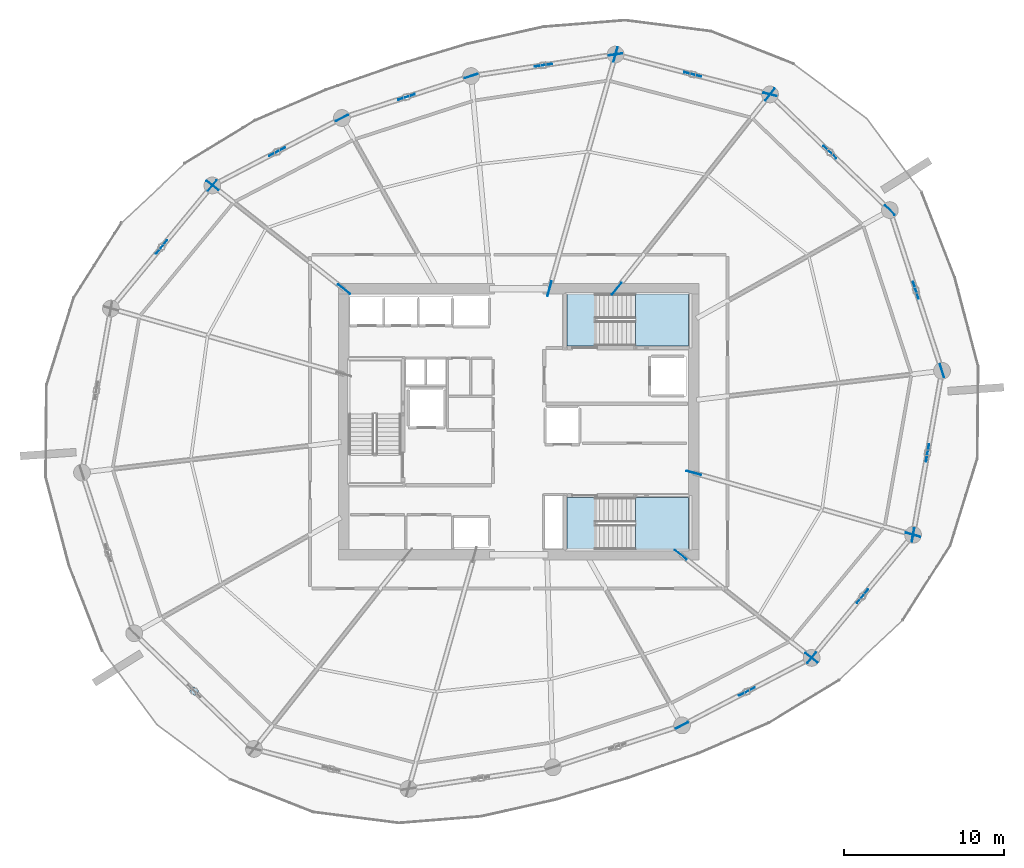
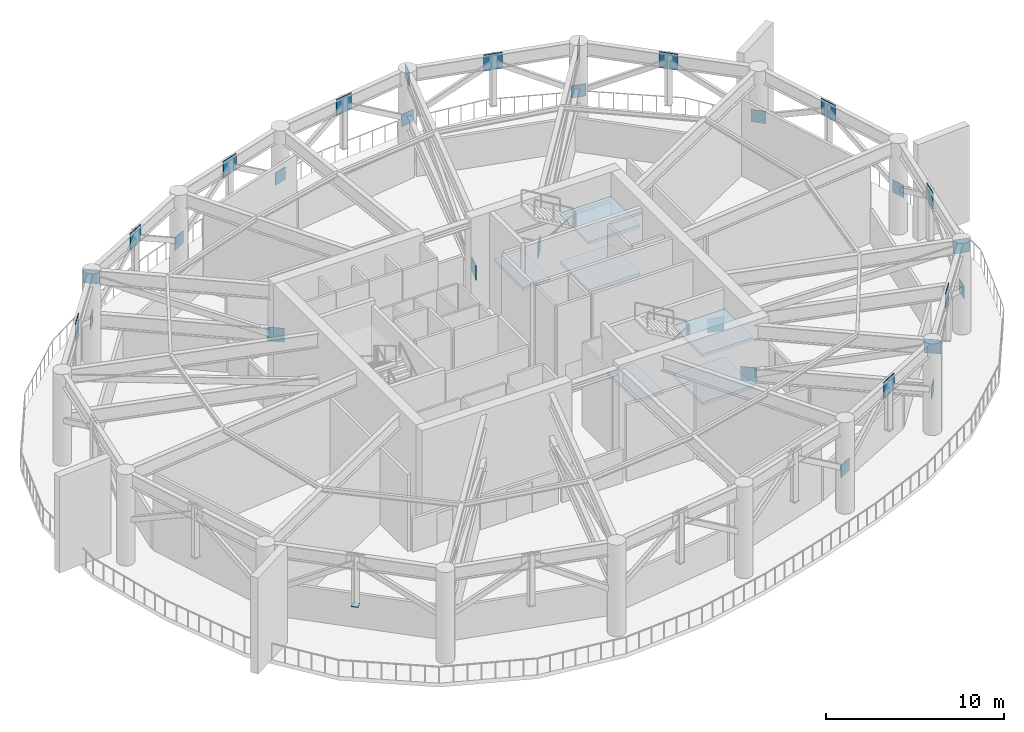
# One storey, part 11 of 20: 31 plates, 6 slabs, 2 elements without a shape of their own.
"""IFC4 building model written with IfcOpenShell, lengths in metres."""

from ifc_helpers import new_model, si_unit, direction, frame, origin, origin_2d, place, context, subcontext, project, spatial, polyline, rectangle, outline, extrude, material, layer, layer_set, type_object, element, aggregate, save


model = new_model("IFC4")

# Units and contexts
model_context = context("Model", 3, precision=1e-05, world=origin(), true_north=direction((0.0, 1.0)))
body_context = subcontext(model_context, "Body", "Model", "MODEL_VIEW")
ifc_project = project(units=[si_unit("LENGTHUNIT", "METRE"), si_unit("AREAUNIT", "SQUARE_METRE"), si_unit("VOLUMEUNIT", "CUBIC_METRE"), si_unit("PLANEANGLEUNIT", "RADIAN"), si_unit("MASSUNIT", "GRAM", prefix="KILO")], contexts=[model_context])

# Site, building, storey
site_placement = place(None, origin())
site = spatial("IfcSite", under=ifc_project, at=site_placement, CompositionType="ELEMENT")
building_placement = place(site_placement, origin())
building = spatial("IfcBuilding", under=site, at=building_placement, Name="Kazma Halo Residences", CompositionType="ELEMENT")
storey_placement = place(building_placement, frame((0.0, 0.0, 225.300048828125)))
storey = spatial("IfcBuildingStorey", under=building, at=storey_placement, Name="L57", CompositionType="ELEMENT", Elevation=225.300048828125)

# Plates
ifc_material_1 = material(Name="Steel S355", Category="steel")
ifc_layer_1 = layer(ifc_material_1, 0.0400390625)
ifc_layer_set_1 = layer_set([ifc_layer_1], Name="Steel S355")
plate_type = type_object("IfcPlateType", Name="PLT-GUSSET-40", PredefinedType="SHEET", material=ifc_layer_set_1)
plate_1_placement = place(storey_placement, frame((67.898193359375, 58.864013671875, 5.2099609375), z_axis=(0.0, 0.0, 1.0), x_axis=(-0.719340135133, 0.694658023769, 0.0)))
element("IfcPlate", 1, at=plate_1_placement, inside=storey, type_object=plate_type, Name="L57 belt-truss apex gusset plate 01", PredefinedType="SHEET", context=body_context, shape_type="SweptSolid", body=[
    extrude(rectangle(XDim=1.10009765625, YDim=0.0400390625, at=origin_2d()), origin(), (0.0, 0.0, 1.0), 1.10009765625),
])
plate_2_placement = place(storey_placement, frame((71.647705078125, 55.243408203125, 2.39501953125), z_axis=(0.0, 0.0, 1.0), x_axis=(-0.719340135133, 0.694658023769, 0.0)))
element("IfcPlate", 2, at=plate_2_placement, inside=storey, type_object=plate_type, Name="L57 belt-truss column gusset plate 01", PredefinedType="SHEET", context=body_context, shape_type="SweptSolid", body=[
    extrude(rectangle(XDim=0.85009765625, YDim=0.0400390625, at=origin_2d()), origin(), (0.0, 0.0, 1.0), 0.85009765625),
])
plate_3_placement = place(storey_placement, frame((59.315673828125, 63.735107421875, 5.2099609375), z_axis=(0.0, 0.0, 1.0), x_axis=(-0.968125183138, 0.250466823698, 0.0)))
element("IfcPlate", 3, at=plate_3_placement, inside=storey, type_object=plate_type, Name="L57 belt-truss apex gusset plate 02", PredefinedType="SHEET", context=body_context, shape_type="SweptSolid", body=[
    extrude(rectangle(XDim=1.10009765625, YDim=0.0400390625, at=origin_2d()), origin(), (0.0, 0.0, 1.0), 1.10009765625),
])
plate_4_placement = place(storey_placement, frame((64.14892578125, 62.48486328125, 2.39501953125), z_axis=(0.0, 0.0, 1.0), x_axis=(-0.968125183138, 0.250466823698, 0.0)))
element("IfcPlate", 4, at=plate_4_placement, inside=storey, type_object=plate_type, Name="L57 belt-truss column gusset plate 02", PredefinedType="SHEET", context=body_context, shape_type="SweptSolid", body=[
    extrude(rectangle(XDim=0.85009765625, YDim=0.0400390625, at=origin_2d()), origin(), (0.0, 0.0, 1.0), 0.85009765625),
])
plate_5_placement = place(storey_placement, frame((49.9609375, 64.310302734375, 5.2099609375), z_axis=(0.0, 0.0, 1.0), x_axis=(-0.989033926066, -0.147688500196, 0.0)))
element("IfcPlate", 5, at=plate_5_placement, inside=storey, type_object=plate_type, Name="L57 belt-truss apex gusset plate 03", PredefinedType="SHEET", context=body_context, shape_type="SweptSolid", body=[
    extrude(rectangle(XDim=1.10009765625, YDim=0.0400390625, at=origin_2d()), origin(), (0.0, 0.0, 1.0), 1.10009765625),
])
plate_6_placement = place(storey_placement, frame((54.482666015625, 64.985595703125, 2.39501953125), z_axis=(0.0, 0.0, 1.0), x_axis=(-0.989033926066, -0.147688500196, 0.0)))
element("IfcPlate", 6, at=plate_6_placement, inside=storey, type_object=plate_type, Name="L57 belt-truss column gusset plate 03", PredefinedType="SHEET", context=body_context, shape_type="SweptSolid", body=[
    extrude(rectangle(XDim=0.85009765625, YDim=0.0400390625, at=origin_2d()), origin(), (0.0, 0.0, 1.0), 0.85009765625),
])
plate_7_placement = place(storey_placement, frame((41.397216796875, 62.32177734375, 5.2099609375), z_axis=(0.0, 0.0, 1.0), x_axis=(-0.951056975571, -0.309015580864, 0.0)))
element("IfcPlate", 7, at=plate_7_placement, inside=storey, type_object=plate_type, Name="L57 belt-truss apex gusset plate 04", PredefinedType="SHEET", context=body_context, shape_type="SweptSolid", body=[
    extrude(rectangle(XDim=1.10009765625, YDim=0.0400390625, at=origin_2d()), origin(), (0.0, 0.0, 1.0), 1.10009765625),
])
plate_8_placement = place(storey_placement, frame((45.439208984375, 63.63525390625, 2.39501953125), z_axis=(0.0, 0.0, 1.0), x_axis=(-0.951056975571, -0.309015580864, 0.0)))
element("IfcPlate", 8, at=plate_8_placement, inside=storey, type_object=plate_type, Name="L57 belt-truss column gusset plate 04", PredefinedType="SHEET", context=body_context, shape_type="SweptSolid", body=[
    extrude(rectangle(XDim=0.85009765625, YDim=0.0400390625, at=origin_2d()), origin(), (0.0, 0.0, 1.0), 0.85009765625),
])
plate_9_placement = place(storey_placement, frame((33.2998046875, 58.89697265625, 5.2099609375), z_axis=(0.0, 0.0, 1.0), x_axis=(-0.88695020708, -0.461865056225, 0.0)))
element("IfcPlate", 9, at=plate_9_placement, inside=storey, type_object=plate_type, Name="L57 belt-truss apex gusset plate 05", PredefinedType="SHEET", context=body_context, shape_type="SweptSolid", body=[
    extrude(rectangle(XDim=1.10009765625, YDim=0.0400390625, at=origin_2d()), origin(), (0.0, 0.0, 1.0), 1.10009765625),
])
plate_10_placement = place(storey_placement, frame((37.354736328125, 61.00830078125, 2.39501953125), z_axis=(0.0, 0.0, 1.0), x_axis=(-0.88695020708, -0.461865056225, 0.0)))
element("IfcPlate", 10, at=plate_10_placement, inside=storey, type_object=plate_type, Name="L57 belt-truss column gusset plate 05", PredefinedType="SHEET", context=body_context, shape_type="SweptSolid", body=[
    extrude(rectangle(XDim=0.85009765625, YDim=0.0400390625, at=origin_2d()), origin(), (0.0, 0.0, 1.0), 0.85009765625),
])
plate_11_placement = place(storey_placement, frame((26.069580078125, 52.932861328125, 5.2099609375), z_axis=(0.0, 0.0, 1.0), x_axis=(-0.636010867871, -0.771680099491, 0.0)))
element("IfcPlate", 11, at=plate_11_placement, inside=storey, type_object=plate_type, Name="L57 belt-truss apex gusset plate 06", PredefinedType="SHEET", context=body_context, shape_type="SweptSolid", body=[
    extrude(rectangle(XDim=1.10009765625, YDim=0.0400390625, at=origin_2d()), origin(), (0.0, 0.0, 1.0), 1.10009765625),
])
plate_12_placement = place(storey_placement, frame((29.244873046875, 56.785400390625, 2.39501953125), z_axis=(0.0, 0.0, 1.0), x_axis=(-0.636010867871, -0.771680099491, 0.0)))
element("IfcPlate", 12, at=plate_12_placement, inside=storey, type_object=plate_type, Name="L57 belt-truss column gusset plate 06", PredefinedType="SHEET", context=body_context, shape_type="SweptSolid", body=[
    extrude(rectangle(XDim=0.85009765625, YDim=0.0400390625, at=origin_2d()), origin(), (0.0, 0.0, 1.0), 0.85009765625),
])
plate_13_placement = place(storey_placement, frame((28.101806640625, 25.135986328125, 2.780029296875), z_axis=(0.0, 0.0, 1.0), x_axis=(0.719340135133, -0.694658023769, 0.0)))
element("IfcPlate", 13, at=plate_13_placement, inside=storey, type_object=plate_type, Name="L57 belt-truss post welded cap plate 09", PredefinedType="SHEET", context=body_context, shape_type="SweptSolid", body=[
    extrude(rectangle(XDim=0.39990234375, YDim=0.39990234375, at=origin_2d()), origin(), (0.0, 0.0, 1.0), 0.0400390625),
])
plate_14_placement = place(storey_placement, frame((62.7001953125, 25.10302734375, 5.2099609375), z_axis=(0.0, 0.0, 1.0), x_axis=(0.88695020708, 0.461865056225, 0.0)))
element("IfcPlate", 14, at=plate_14_placement, inside=storey, type_object=plate_type, Name="L57 belt-truss apex gusset plate 13", PredefinedType="SHEET", context=body_context, shape_type="SweptSolid", body=[
    extrude(rectangle(XDim=1.10009765625, YDim=0.0400390625, at=origin_2d()), origin(), (0.0, 0.0, 1.0), 1.10009765625),
])
plate_15_placement = place(storey_placement, frame((58.645263671875, 22.99169921875, 2.39501953125), z_axis=(0.0, 0.0, 1.0), x_axis=(0.88695020708, 0.461865056225, 0.0)))
element("IfcPlate", 15, at=plate_15_placement, inside=storey, type_object=plate_type, Name="L57 belt-truss column gusset plate 13", PredefinedType="SHEET", context=body_context, shape_type="SweptSolid", body=[
    extrude(rectangle(XDim=0.85009765625, YDim=0.0400390625, at=origin_2d()), origin(), (0.0, 0.0, 1.0), 0.85009765625),
])
plate_16_placement = place(storey_placement, frame((69.930419921875, 31.067138671875, 5.2099609375), z_axis=(0.0, 0.0, 1.0), x_axis=(0.636010867871, 0.771680099491, 0.0)))
element("IfcPlate", 16, at=plate_16_placement, inside=storey, type_object=plate_type, Name="L57 belt-truss apex gusset plate 14", PredefinedType="SHEET", context=body_context, shape_type="SweptSolid", body=[
    extrude(rectangle(XDim=1.10009765625, YDim=0.0400390625, at=origin_2d()), origin(), (0.0, 0.0, 1.0), 1.10009765625),
])
plate_17_placement = place(storey_placement, frame((66.755126953125, 27.214599609375, 2.39501953125), z_axis=(0.0, 0.0, 1.0), x_axis=(0.636010867871, 0.771680099491, 0.0)))
element("IfcPlate", 17, at=plate_17_placement, inside=storey, type_object=plate_type, Name="L57 belt-truss column gusset plate 14", PredefinedType="SHEET", context=body_context, shape_type="SweptSolid", body=[
    extrude(rectangle(XDim=0.85009765625, YDim=0.0400390625, at=origin_2d()), origin(), (0.0, 0.0, 1.0), 0.85009765625),
])
plate_18_placement = place(storey_placement, frame((74.010498046875, 40.052490234375, 5.2099609375), z_axis=(0.0, 0.0, 1.0), x_axis=(0.173649069267, 0.984807595799, 0.0)))
element("IfcPlate", 18, at=plate_18_placement, inside=storey, type_object=plate_type, Name="L57 belt-truss apex gusset plate 15", PredefinedType="SHEET", context=body_context, shape_type="SweptSolid", body=[
    extrude(rectangle(XDim=1.10009765625, YDim=0.0400390625, at=origin_2d()), origin(), (0.0, 0.0, 1.0), 1.10009765625),
])
plate_19_placement = place(storey_placement, frame((73.10546875, 34.919677734375, 2.39501953125), z_axis=(0.0, 0.0, 1.0), x_axis=(0.173649069267, 0.984807595799, 0.0)))
element("IfcPlate", 19, at=plate_19_placement, inside=storey, type_object=plate_type, Name="L57 belt-truss column gusset plate 15", PredefinedType="SHEET", context=body_context, shape_type="SweptSolid", body=[
    extrude(rectangle(XDim=0.85009765625, YDim=0.0400390625, at=origin_2d()), origin(), (0.0, 0.0, 1.0), 0.85009765625),
])
plate_20_placement = place(storey_placement, frame((73.281494140625, 50.214599609375, 5.2099609375), z_axis=(0.0, 0.0, 1.0), x_axis=(-0.309015939189, 0.951056859145, 0.0)))
element("IfcPlate", 20, at=plate_20_placement, inside=storey, type_object=plate_type, Name="L57 belt-truss apex gusset plate 16", PredefinedType="SHEET", context=body_context, shape_type="SweptSolid", body=[
    extrude(rectangle(XDim=1.10009765625, YDim=0.0400390625, at=origin_2d()), origin(), (0.0, 0.0, 1.0), 1.10009765625),
])
plate_21_placement = place(storey_placement, frame((74.91552734375, 45.185791015625, 2.39501953125), z_axis=(0.0, 0.0, 1.0), x_axis=(-0.309015939189, 0.951056859145, 0.0)))
element("IfcPlate", 21, at=plate_21_placement, inside=storey, type_object=plate_type, Name="L57 belt-truss column gusset plate 16", PredefinedType="SHEET", context=body_context, shape_type="SweptSolid", body=[
    extrude(rectangle(XDim=0.85009765625, YDim=0.0400390625, at=origin_2d()), origin(), (0.0, 0.0, 1.0), 0.85009765625),
])
for number, where, z_axis, x_axis, name in (
    (22, (54.56298828125, 50.324951171875, 2.34521484375), (0.0, 0.0, 1.0), (0.619093416488, 0.785317350923, 0.0), "L57 outrigger core gusset plate 01"),
    (23, (64.14892578125, 62.48486328125, 5.28515625), (0.0, 0.0, 1.0), (0.619093416488, 0.785317350923, 0.0), "L57 outrigger perimeter gusset plate 01"),
    (24, (50.347900390625, 50.324951171875, 2.34521484375), (0.0, 0.0, 1.0), (0.271439426715, 0.962455525011, 0.0), "L57 outrigger core gusset plate 02"),
    (25, (54.482666015625, 64.985595703125, 5.28515625), (0.0, 0.0, 1.0), (0.271439426715, 0.962455525011, 0.0), "L57 outrigger perimeter gusset plate 02"),
    (26, (37.47509765625, 50.297119140625, 2.34521484375), (0.0, 0.0, 1.0), (-0.785316359813, 0.619094673705, 0.0), "L57 outrigger core gusset plate 03"),
    (27, (29.244873046875, 56.785400390625, 5.28515625), (0.0, 0.0, 1.0), (-0.785316359813, 0.619094673705, 0.0), "L57 outrigger perimeter gusset plate 03"),
    (28, (58.560302734375, 33.675048828125, 2.34521484375), (0.0, 0.0, 1.0), (0.785318712886, -0.61909168884, 0.0), "L57 outrigger core gusset plate 07"),
    (29, (66.755126953125, 27.214599609375, 5.28515625), (0.0, 0.0, 1.0), (0.785318712886, -0.61909168884, 0.0), "L57 outrigger perimeter gusset plate 07"),
    (30, (59.375, 38.7919921875, 2.34521484375), (0.0, 0.0, 1.0), (0.962456578627, -0.271435690834, 0.0), "L57 outrigger core gusset plate 08"),
    (31, (73.10546875, 34.919677734375, 5.28515625), (0.0, 0.0, 1.0), (0.962456578627, -0.271435690834, 0.0), "L57 outrigger perimeter gusset plate 08"),
):
    element("IfcPlate", number, at=place(storey_placement, frame(where, z_axis=z_axis, x_axis=x_axis)), inside=storey, type_object=plate_type, Name=name, PredefinedType="SHEET", context=body_context, shape_type="SweptSolid", body=[
        extrude(rectangle(XDim=0.949951171875, YDim=0.0400390625, at=origin_2d()), origin(), (0.0, 0.0, 1.0), 0.949951171875),
    ])

# Stair, slabs
ifc_material_2 = material(Name="Concrete C50/60", Category="concrete")
stair_type = type_object("IfcStairType", Name="STR-CRWN", PredefinedType="HALF_TURN_STAIR", material=ifc_material_2)
stair_1_placement = place(storey_placement, origin())
stair_1 = element("IfcStair", 32, at=stair_1_placement, inside=storey, type_object=stair_type, Name="L57 Core exit stair ST-02", PredefinedType="HALF_TURN_STAIR")
ifc_layer_2 = layer(ifc_material_2, 0.199951171875)
ifc_layer_set_2 = layer_set([ifc_layer_2], Name="Concrete C50/60")
slab_type = type_object("IfcSlabType", Name="SLB-STAIR-LND-200", PredefinedType="LANDING", material=ifc_layer_set_2)
slab_1_placement = place(storey_placement, frame((0.0, 0.0, 1.449951171875)))
slab_1 = element("IfcSlab", 33, at=slab_1_placement, type_object=slab_type, Name="ST-02 landing 1", PredefinedType="LANDING", context=body_context, shape_type="SweptSolid", body=[
    extrude(outline(polyline([(55.719970703125, 46.75), (59.050048828125, 46.75), (59.050048828125, 50.0), (55.719970703125, 50.0), (55.719970703125, 46.75)])), origin(), (0.0, 0.0, 1.0), 0.199951171875),
])
slab_2_placement = place(storey_placement, frame((0.0, 0.0, 3.099853515625)))
slab_2 = element("IfcSlab", 34, at=slab_2_placement, type_object=slab_type, Name="ST-02 landing 2", PredefinedType="LANDING", context=body_context, shape_type="SweptSolid", body=[
    extrude(outline(polyline([(51.449951171875, 46.75), (53.199951171875, 46.75), (53.199951171875, 50.0), (51.449951171875, 50.0), (51.449951171875, 46.75)])), origin(), (0.0, 0.0, 1.0), 0.2001953125),
])
slab_3_placement = place(storey_placement, frame((0.0, 0.0, 4.75)))
slab_3 = element("IfcSlab", 35, at=slab_3_placement, type_object=slab_type, Name="ST-02 landing 3", PredefinedType="LANDING", context=body_context, shape_type="SweptSolid", body=[
    extrude(outline(polyline([(55.719970703125, 46.75), (59.050048828125, 46.75), (59.050048828125, 50.0), (55.719970703125, 50.0), (55.719970703125, 46.75)])), origin(), (0.0, 0.0, 1.0), 0.199951171875),
])
aggregate(stair_1, [slab_1, slab_2, slab_3])

stair_2_placement = place(storey_placement, origin())
stair_2 = element("IfcStair", 36, at=stair_2_placement, inside=storey, type_object=stair_type, Name="L57 Core exit stair ST-03", PredefinedType="HALF_TURN_STAIR")
slab_4_placement = place(storey_placement, frame((0.0, 0.0, 1.449951171875)))
slab_4 = element("IfcSlab", 37, at=slab_4_placement, type_object=slab_type, Name="ST-03 landing 1", PredefinedType="LANDING", context=body_context, shape_type="SweptSolid", body=[
    extrude(outline(polyline([(55.719970703125, 34.0), (59.050048828125, 34.0), (59.050048828125, 37.25), (55.719970703125, 37.25), (55.719970703125, 34.0)])), origin(), (0.0, 0.0, 1.0), 0.199951171875),
])
slab_5_placement = place(storey_placement, frame((0.0, 0.0, 3.099853515625)))
slab_5 = element("IfcSlab", 38, at=slab_5_placement, type_object=slab_type, Name="ST-03 landing 2", PredefinedType="LANDING", context=body_context, shape_type="SweptSolid", body=[
    extrude(outline(polyline([(51.449951171875, 34.0), (53.199951171875, 34.0), (53.199951171875, 37.25), (51.449951171875, 37.25), (51.449951171875, 34.0)])), origin(), (0.0, 0.0, 1.0), 0.2001953125),
])
slab_6_placement = place(storey_placement, frame((0.0, 0.0, 4.75)))
slab_6 = element("IfcSlab", 39, at=slab_6_placement, type_object=slab_type, Name="ST-03 landing 3", PredefinedType="LANDING", context=body_context, shape_type="SweptSolid", body=[
    extrude(outline(polyline([(55.719970703125, 34.0), (59.050048828125, 34.0), (59.050048828125, 37.25), (55.719970703125, 37.25), (55.719970703125, 34.0)])), origin(), (0.0, 0.0, 1.0), 0.199951171875),
])
aggregate(stair_2, [slab_4, slab_5, slab_6])

save(model, "model.ifc")
